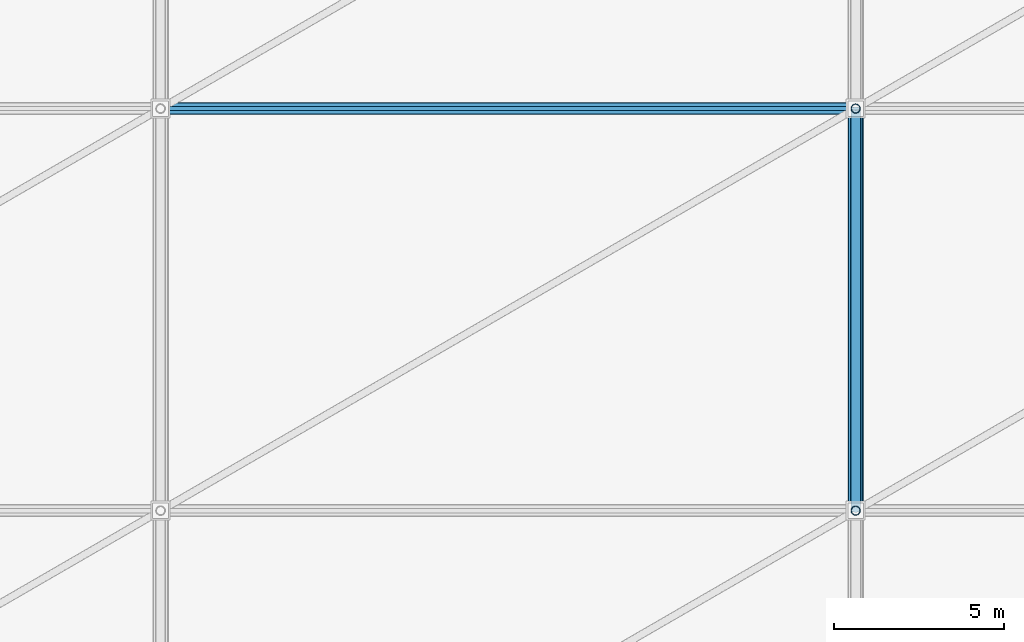
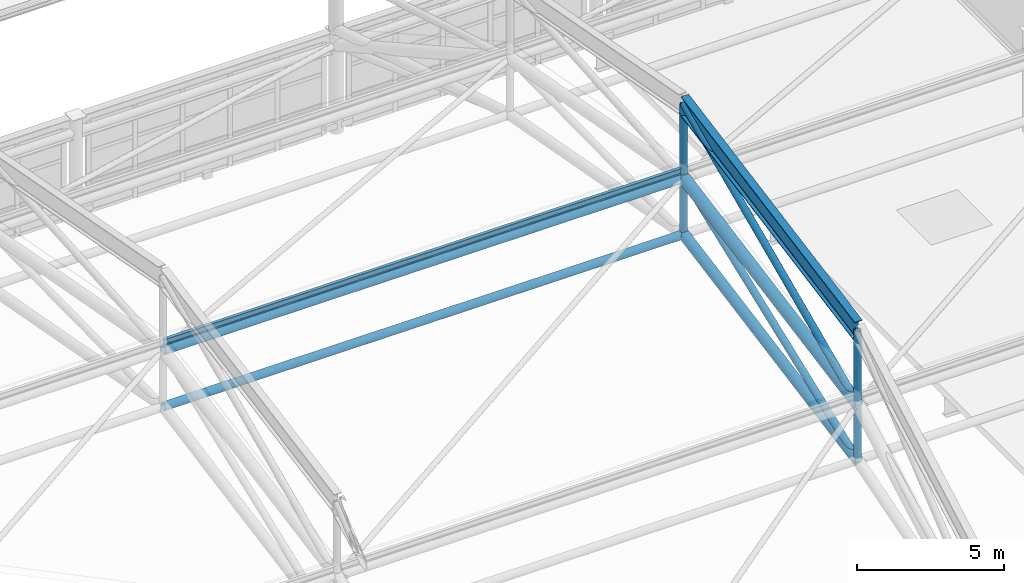
# One storey, part 57 of 135: 11 members, 1 beam.
"""IFC4 building model written with IfcOpenShell, lengths in metres."""

from ifc_helpers import new_model, si_unit, direction, frame, origin, origin_2d, place, context, subcontext, project, spatial, hollow_circle, i_section, extrude, material, material_profile, profile_set, type_object, element, save


model = new_model("IFC4")

# Units and contexts
model_context = context("Model", 3, precision=1e-05, world=origin(), true_north=direction((0.0, 1.0)))
body_context = subcontext(model_context, "Body", "Model", "MODEL_VIEW")
ifc_project = project(units=[si_unit("LENGTHUNIT", "METRE"), si_unit("AREAUNIT", "SQUARE_METRE"), si_unit("VOLUMEUNIT", "CUBIC_METRE"), si_unit("PLANEANGLEUNIT", "RADIAN"), si_unit("MASSUNIT", "GRAM", prefix="KILO")], contexts=[model_context])

# Site, building, storey
site_placement = place(None, origin())
site = spatial("IfcSite", under=ifc_project, at=site_placement, CompositionType="ELEMENT")
building_placement = place(site_placement, origin())
building = spatial("IfcBuilding", under=site, at=building_placement, Name="Brelvane Convention Centre", CompositionType="ELEMENT")
storey_placement = place(building_placement, frame((0.0, 0.0, 15.0)))
storey = spatial("IfcBuildingStorey", under=building, at=storey_placement, Name="L03", CompositionType="ELEMENT", Elevation=15.0)

# Beam
ifc_material_1 = material(Name="Steel E450 (450 MPa)", Category="steel")
ifc_material_profile_1 = material_profile(ifc_material_1, i_section(OverallWidth=0.300048828125, OverallDepth=0.800048828125, WebThickness=0.015380859375, FlangeThickness=0.030029296875, FilletRadius=0.027099609375, at=origin_2d()), Name="NPB 800x300")
ifc_profile_set_1 = profile_set([ifc_material_profile_1], Name="Steel E450 (450 MPa)")
beam_type = type_object("IfcBeamType", Name="Steel Beam B-ST2 (NPB 800x300)", PredefinedType="BEAM", material=ifc_profile_set_1)
beam_placement = place(storey_placement, frame((204.0, 52.39990234375, 13.199951171875), z_axis=(0.0, 0.983061168522, 0.183277764458), x_axis=(-1.0, 0.0, 0.0)))
element("IfcBeam", 1, at=beam_placement, inside=storey, type_object=beam_type, Name="EXO_PLEN Exoskeletal Arch Girder 3.2", PredefinedType="BEAM", context=body_context, shape_type="SweptSolid", body=[
    extrude(i_section(OverallWidth=0.300048828125, OverallDepth=0.800048828125, WebThickness=0.015380859375, FlangeThickness=0.030029296875, FilletRadius=0.027099609375, at=origin_2d()), origin(), (0.0, 0.0, 1.0), 12.00341796875),
])

# Members
ifc_material_2 = material(Name="Steel E350 (350 MPa)", Category="steel")
ifc_material_profile_2 = material_profile(ifc_material_2, hollow_circle(Radius=0.136474609375, WallThickness=0.012451171875, at=origin_2d()), Name="CHS 273.0x12.5")
ifc_profile_set_2 = profile_set([ifc_material_profile_2], Name="Steel E350 (350 MPa)")
member_type_1 = type_object("IfcMemberType", Name="Steel Brace SF-DG1 (CHS 273.0x12.5)", PredefinedType="BRACE", material=ifc_profile_set_2)
member_1_placement = place(storey_placement, frame((204.0, 52.39990234375, 7.800048828125), z_axis=(0.0, 0.933304292812, 0.359086475682), x_axis=(-1.0, 0.0, 0.0)))
element("IfcMember", 2, at=member_1_placement, inside=storey, type_object=member_type_1, Name="SF_PLEN Space-Frame Web Diagonal D3.2", PredefinedType="BRACE", context=body_context, shape_type="SweptSolid", body=[
    extrude(hollow_circle(Radius=0.136474609375, WallThickness=0.012451171875, at=origin_2d()), origin(), (0.0, 0.0, 1.0), 12.643310546875),
])
member_2_placement = place(storey_placement, frame((204.0, 52.39990234375, 10.139892578125), z_axis=(0.0, 0.913364473942, 0.407142895973), x_axis=(-1.0, 0.0, 0.0)))
element("IfcMember", 3, at=member_2_placement, inside=storey, type_object=member_type_1, Name="EXO_PLEN Exoskeletal Arch Web 3.2", PredefinedType="BRACE", context=body_context, shape_type="SweptSolid", body=[
    extrude(hollow_circle(Radius=0.136474609375, WallThickness=0.012451171875, at=origin_2d()), origin(), (0.0, 0.0, 1.0), 12.91943359375),
])
ifc_material_3 = material(Name="Steel E450 (450 MPa)", Category="steel")
ifc_material_profile_3 = material_profile(ifc_material_3, hollow_circle(Radius=0.203125, WallThickness=0.01611328125, at=origin_2d()), Name="CHS 406.4x16.0")
ifc_profile_set_3 = profile_set([ifc_material_profile_3], Name="Steel E450 (450 MPa)")
member_type_2 = type_object("IfcMemberType", Name="Steel Chord SF-BC1 (CHS 406.4x16.0)", PredefinedType="CHORD", material=ifc_profile_set_3)
member_3_placement = place(storey_placement, frame((204.0, 52.39990234375, 7.800048828125), z_axis=(0.0, 0.983061168522, 0.183277764458), x_axis=(-1.0, 0.0, 0.0)))
element("IfcMember", 4, at=member_3_placement, inside=storey, type_object=member_type_2, Name="SF_PLEN Space-Frame Bottom Chord B3.2", PredefinedType="CHORD", context=body_context, shape_type="SweptSolid", body=[
    extrude(hollow_circle(Radius=0.203125, WallThickness=0.01611328125, at=origin_2d()), origin(), (0.0, 0.0, 1.0), 12.00341796875),
])
ifc_material_4 = material(Name="Steel E350 (350 MPa)", Category="steel")
ifc_material_profile_4 = material_profile(ifc_material_4, hollow_circle(Radius=0.161865234375, WallThickness=0.012451171875, at=origin_2d()), Name="CHS 323.9x12.5")
ifc_profile_set_4 = profile_set([ifc_material_profile_4], Name="Steel E350 (350 MPa)")
member_type_3 = type_object("IfcMemberType", Name="Steel Chord SF-BC2 (CHS 323.9x12.5)", PredefinedType="CHORD", material=ifc_profile_set_4)
member_4_placement = place(storey_placement, frame((183.60009765625, 64.199951171875, 10.0), z_axis=(1.0, 0.0, 0.0), x_axis=(0.0, 1.0, 0.0)))
element("IfcMember", 5, at=member_4_placement, inside=storey, type_object=member_type_3, Name="SF_PLEN Longitudinal Bottom Chord LB2.3", PredefinedType="CHORD", context=body_context, shape_type="SweptSolid", body=[
    extrude(hollow_circle(Radius=0.161865234375, WallThickness=0.012451171875, at=origin_2d()), origin(), (0.0, 0.0, 1.0), 20.39990234375),
])
ifc_material_5 = material(Name="Steel E450 (450 MPa)", Category="steel")
ifc_material_profile_5 = material_profile(ifc_material_5, hollow_circle(Radius=0.228515625, WallThickness=0.02001953125, at=origin_2d()), Name="CHS 457.0x20.0")
ifc_profile_set_5 = profile_set([ifc_material_profile_5], Name="Steel E450 (450 MPa)")
member_type_4 = type_object("IfcMemberType", Name="Steel Chord SF-TC1 (CHS 457.0x20.0)", PredefinedType="CHORD", material=ifc_profile_set_5)
member_5_placement = place(storey_placement, frame((204.0, 52.39990234375, 10.139892578125), z_axis=(0.0, 0.983057503734, 0.183297420472), x_axis=(-1.0, 0.0, 0.0)))
element("IfcMember", 6, at=member_5_placement, inside=storey, type_object=member_type_4, Name="SF_PLEN Space-Frame Top Chord T3.2", PredefinedType="CHORD", context=body_context, shape_type="SweptSolid", body=[
    extrude(hollow_circle(Radius=0.228515625, WallThickness=0.02001953125, at=origin_2d()), origin(), (0.0, 0.0, 1.0), 12.00341796875),
])
ifc_material_6 = material(Name="Steel E450 (450 MPa)", Category="steel")
ifc_material_profile_6 = material_profile(ifc_material_6, hollow_circle(Radius=0.177734375, WallThickness=0.01611328125, at=origin_2d()), Name="CHS 355.6x16.0")
ifc_profile_set_6 = profile_set([ifc_material_profile_6], Name="Steel E450 (450 MPa)")
member_type_5 = type_object("IfcMemberType", Name="Steel Chord SF-TC2 (CHS 355.6x16.0)", PredefinedType="CHORD", material=ifc_profile_set_6)
member_6_placement = place(storey_placement, frame((183.60009765625, 64.199951171875, 12.340087890625), z_axis=(1.0, 0.0, 0.0), x_axis=(0.0, 1.0, 0.0)))
element("IfcMember", 7, at=member_6_placement, inside=storey, type_object=member_type_5, Name="SF_PLEN Longitudinal Top Chord LT2.3", PredefinedType="CHORD", context=body_context, shape_type="SweptSolid", body=[
    extrude(hollow_circle(Radius=0.177734375, WallThickness=0.01611328125, at=origin_2d()), origin(), (0.0, 0.0, 1.0), 20.39990234375),
])
ifc_material_7 = material(Name="Steel E350 (350 MPa)", Category="steel")
ifc_material_profile_7 = material_profile(ifc_material_7, i_section(OverallWidth=0.125, OverallDepth=0.25, WebThickness=0.0068359375, FlangeThickness=0.012451171875, FilletRadius=0.012939453125, at=origin_2d()), Name="ISMB 250")
ifc_profile_set_7 = profile_set([ifc_material_profile_7], Name="Steel E350 (350 MPa)")
member_type_6 = type_object("IfcMemberType", Name="Steel Purlin PR-ST1 (ISMB 250)", PredefinedType="PURLIN", material=ifc_profile_set_7)
member_7_placement = place(storey_placement, frame((183.60009765625, 64.199951171875, 12.675048828125), z_axis=(1.0, 0.0, 0.0), x_axis=(0.0, 1.0, 0.0)))
element("IfcMember", 8, at=member_7_placement, inside=storey, type_object=member_type_6, Name="SF_PLEN Roof Purlin P2.3", PredefinedType="PURLIN", context=body_context, shape_type="SweptSolid", body=[
    extrude(i_section(OverallWidth=0.125, OverallDepth=0.25, WebThickness=0.0068359375, FlangeThickness=0.012451171875, FilletRadius=0.012939453125, at=origin_2d()), origin(), (0.0, 0.0, 1.0), 20.39990234375),
])
ifc_material_8 = material(Name="Steel E350 (350 MPa)", Category="steel")
ifc_material_profile_8 = material_profile(ifc_material_8, hollow_circle(Radius=0.136474609375, WallThickness=0.012451171875, at=origin_2d()), Name="CHS 273.0x12.5")
ifc_profile_set_8 = profile_set([ifc_material_profile_8], Name="Steel E350 (350 MPa)")
member_type_7 = type_object("IfcMemberType", Name="Steel Strut SF-VT1 (CHS 273.0x12.5)", PredefinedType="STRUT", material=ifc_profile_set_8)
member_8_placement = place(storey_placement, frame((204.0, 52.39990234375, 7.800048828125), z_axis=(0.0, 0.0, 1.0), x_axis=(1.0, 0.0, 0.0)))
element("IfcMember", 9, at=member_8_placement, inside=storey, type_object=member_type_7, Name="SF_PLEN Space-Frame Post V3.1", PredefinedType="STRUT", context=body_context, shape_type="SweptSolid", body=[
    extrude(hollow_circle(Radius=0.136474609375, WallThickness=0.012451171875, at=origin_2d()), origin(), (0.0, 0.0, 1.0), 2.33984375),
])
member_9_placement = place(storey_placement, frame((204.0, 64.199951171875, 10.0), z_axis=(0.0, 0.0, 1.0), x_axis=(1.0, 0.0, 0.0)))
element("IfcMember", 10, at=member_9_placement, inside=storey, type_object=member_type_7, Name="SF_PLEN Space-Frame Post V3.2", PredefinedType="STRUT", context=body_context, shape_type="SweptSolid", body=[
    extrude(hollow_circle(Radius=0.136474609375, WallThickness=0.012451171875, at=origin_2d()), origin(), (0.0, 0.0, 1.0), 2.340087890625),
])
member_10_placement = place(storey_placement, frame((204.0, 52.39990234375, 10.139892578125), z_axis=(0.0, 0.0, 1.0), x_axis=(1.0, 0.0, 0.0)))
element("IfcMember", 11, at=member_10_placement, inside=storey, type_object=member_type_7, Name="EXO_PLEN Roof Suspension Hanger 3.1", PredefinedType="STRUT", context=body_context, shape_type="SweptSolid", body=[
    extrude(hollow_circle(Radius=0.136474609375, WallThickness=0.012451171875, at=origin_2d()), origin(), (0.0, 0.0, 1.0), 3.06005859375),
])
member_11_placement = place(storey_placement, frame((204.0, 64.199951171875, 12.340087890625), z_axis=(0.0, 0.0, 1.0), x_axis=(1.0, 0.0, 0.0)))
element("IfcMember", 12, at=member_11_placement, inside=storey, type_object=member_type_7, Name="EXO_PLEN Roof Suspension Hanger 3.2", PredefinedType="STRUT", context=body_context, shape_type="SweptSolid", body=[
    extrude(hollow_circle(Radius=0.136474609375, WallThickness=0.012451171875, at=origin_2d()), origin(), (0.0, 0.0, 1.0), 3.059814453125),
])

save(model, "model.ifc")
